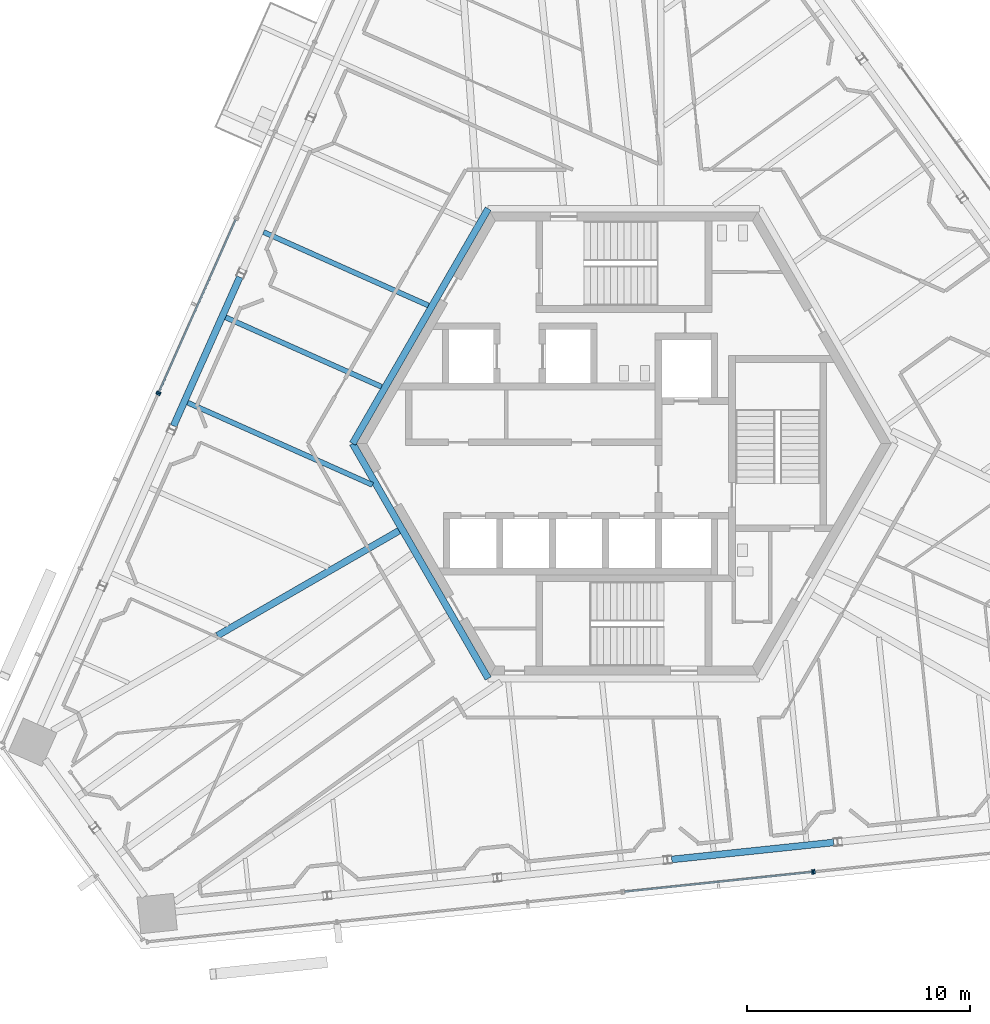
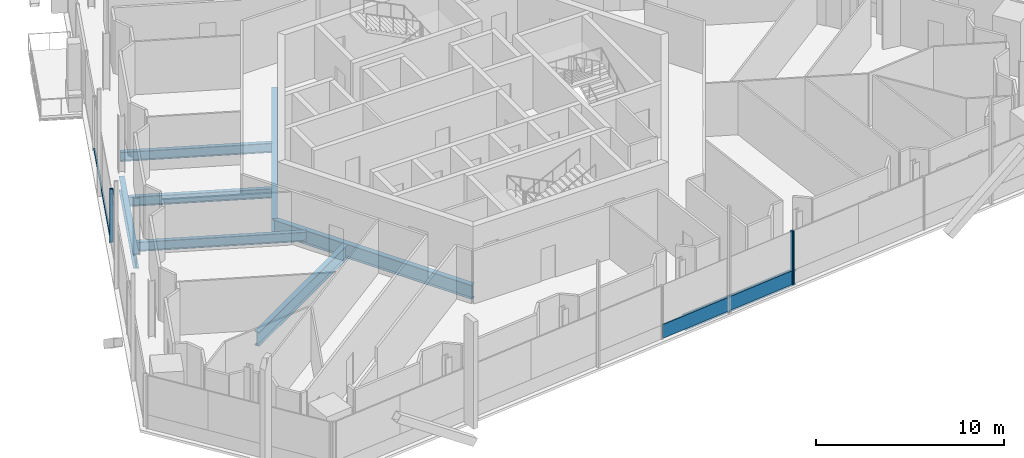
# One storey, part 5 of 21: 8 beams, 6 members, 4 elements without a shape of their own.
"""IFC4 building model written with IfcOpenShell, lengths in metres."""

from ifc_helpers import new_model, si_unit, direction, frame, origin, origin_2d, place, context, subcontext, project, spatial, rectangle, i_section, extrude, source, transform, mapped, material, material_profile, profile_set, type_object, element, aggregate, save


model = new_model("IFC4")

# Units and contexts
model_context = context("Model", 3, precision=1e-05, world=origin(), true_north=direction((0.0, 1.0)))
body_context = subcontext(model_context, "Body", "Model", "MODEL_VIEW")
ifc_project = project(units=[si_unit("LENGTHUNIT", "METRE"), si_unit("AREAUNIT", "SQUARE_METRE"), si_unit("VOLUMEUNIT", "CUBIC_METRE"), si_unit("PLANEANGLEUNIT", "RADIAN"), si_unit("MASSUNIT", "GRAM", prefix="KILO")], contexts=[model_context])

# Site, building, storey
site_placement = place(None, origin())
site = spatial("IfcSite", under=ifc_project, at=site_placement, CompositionType="ELEMENT")
building_placement = place(site_placement, origin())
building = spatial("IfcBuilding", under=site, at=building_placement, Name="Triune Harvest Tower", CompositionType="ELEMENT")
storey_placement = place(building_placement, frame((0.0, 0.0, 248.5)))
storey = spatial("IfcBuildingStorey", under=building, at=storey_placement, Name="L65", CompositionType="ELEMENT", Elevation=248.5)

# Curtain wall, member
ifc_material_1 = material(Name="Aluminium bronze anodised", Category="aluminium")
curtain_wall_type_1 = type_object("IfcCurtainWallType", Name="CW-6 Balcony window wall", PredefinedType="NOTDEFINED", material=ifc_material_1)
curtain_wall_1_placement = place(storey_placement, origin())
curtain_wall_1 = element("IfcCurtainWall", 1, at=curtain_wall_1_placement, inside=storey, type_object=curtain_wall_type_1, Name="CW-6 B6-F3 L65 run 1002")
ifc_material_2 = material(Name="Aluminium bronze anodised", Category="aluminium")
ifc_material_profile_1 = material_profile(ifc_material_2, rectangle(XDim=0.090087890625, YDim=0.14990234375, at=origin_2d()), Name="TR-6 transom 90 x 150")
ifc_profile_set_1 = profile_set([ifc_material_profile_1], Name="Aluminium bronze anodised")
member_type_1 = type_object("IfcMemberType", Name="TR-6 transom 90 x 150", PredefinedType="USERDEFINED", material=ifc_profile_set_1)
member_1_placement = place(storey_placement, frame((-17.421630859375, 10.051025390625, 0.074951171875), z_axis=(-0.406730336866, -0.913548265322, 0.0), x_axis=(0.913548265322, -0.406730336866, 0.0)))
member_1 = element("IfcMember", 2, at=member_1_placement, type_object=member_type_1, Name="CW-6 transom B6-F3 1002.1", ObjectType="TRANSOM", PredefinedType="USERDEFINED", context=body_context, shape_type="SweptSolid", body=[
    extrude(rectangle(XDim=0.090087890625, YDim=0.14990234375, at=origin_2d()), origin(), (0.0, 0.0, 1.0), 8.45703125),
])

# Beams
ifc_material_3 = material(Name="Steel ASTM A992 Gr 50", Category="steel")
ifc_material_profile_2 = material_profile(ifc_material_3, i_section(OverallWidth=0.3046875, OverallDepth=0.914306640625, WebThickness=0.0166015625, FlangeThickness=0.02587890625, at=origin_2d()), Name="W36x160")
ifc_profile_set_2 = profile_set([ifc_material_profile_2], Name="Steel ASTM A992 Gr 50")
beam_type_1 = type_object("IfcBeamType", Name="CG-1 Core ring girder W36x160", PredefinedType="BEAM", material=ifc_profile_set_2)
shared_shape_1 = source(origin(), body_context, "Body", "SweptSolid", [
    extrude(i_section(OverallWidth=0.3046875, OverallDepth=0.914306640625, WebThickness=0.0166015625, FlangeThickness=0.02587890625, at=origin_2d()), origin(), (0.0, 0.0, 1.0), 12.176025390625),
])
for number, where, z_axis, x_axis, name in (
    (3, (-6.087890625, 10.544677734375, -0.6171875), (-0.5000099932, -0.866019634131, 0.0), (0.866019634131, -0.5000099932, 0.0), "beam/L65/CG3"),
    (4, (-12.176025390625, 0.0, -0.6171875), (0.5000099932, -0.866019634131, 0.0), (0.866019634131, 0.5000099932, 0.0), "beam/L65/CG4"),
):
    element("IfcBeam", number, at=place(storey_placement, frame(where, z_axis=z_axis, x_axis=x_axis)), inside=storey, type_object=beam_type_1, Name=name, PredefinedType="BEAM", context=body_context, shape_type="MappedRepresentation", body=[
        mapped(shared_shape_1, transform((0.0, 0.0, 0.0), scale=1.0)),
    ])
ifc_material_4 = material(Name="Steel ASTM A992 Gr 50", Category="steel")
ifc_material_profile_3 = material_profile(ifc_material_4, i_section(OverallWidth=0.3046875, OverallDepth=0.914306640625, WebThickness=0.0166015625, FlangeThickness=0.02587890625, at=origin_2d()), Name="W36x160")
ifc_profile_set_3 = profile_set([ifc_material_profile_3], Name="Steel ASTM A992 Gr 50")
beam_type_2 = type_object("IfcBeamType", Name="HG-3 Hip girder W36x160", PredefinedType="BEAM", material=ifc_profile_set_3)
shared_shape_2 = source(origin(), body_context, "Body", "SweptSolid", [
    extrude(i_section(OverallWidth=0.3046875, OverallDepth=0.914306640625, WebThickness=0.0166015625, FlangeThickness=0.02587890625, at=origin_2d()), origin(), (0.0, 0.0, 1.0), 9.416259765625),
])
beam_1_placement = place(storey_placement, frame((-18.247802734375, -8.62060546875, -0.6171875), z_axis=(0.866032742664, 0.499987288472, 0.0), x_axis=(-0.499987288472, 0.866032742664, 0.0)))
element("IfcBeam", 5, at=beam_1_placement, inside=storey, type_object=beam_type_2, Name="beam/L65/HG6", PredefinedType="BEAM", context=body_context, shape_type="MappedRepresentation", body=[
    mapped(shared_shape_2, transform((0.0, 0.0, 0.0), scale=1.0)),
])
ifc_material_5 = material(Name="Steel ASTM A992 Gr 50", Category="steel")
ifc_material_profile_4 = material_profile(ifc_material_5, i_section(OverallWidth=0.3046875, OverallDepth=0.914306640625, WebThickness=0.0166015625, FlangeThickness=0.02587890625, at=origin_2d()), Name="W36x160")
ifc_profile_set_4 = profile_set([ifc_material_profile_4], Name="Steel ASTM A992 Gr 50")
beam_type_3 = type_object("IfcBeamType", Name="SB-1 Spandrel beam W36x160", PredefinedType="SPANDREL", material=ifc_profile_set_4)
shared_shape_3 = source(origin(), body_context, "Body", "SweptSolid", [
    extrude(i_section(OverallWidth=0.3046875, OverallDepth=0.914306640625, WebThickness=0.0166015625, FlangeThickness=0.02587890625, at=origin_2d()), origin(), (0.0, 0.0, 1.0), 7.311279296875),
])
for number, where, z_axis, x_axis, name in (
    (6, (-17.238525390625, 7.4736328125, -0.6171875), (-0.406748727305, -0.913540077301, 0.0), (0.913540077301, -0.406748727305, 0.0), "beam/L65/SB12"),
    (7, (2.14697265625, -18.665771484375, -0.6171875), (0.994523004189, 0.104517913008, 0.0), (-0.104517913008, 0.994523004189, 0.0), "beam/L65/SB20"),
):
    element("IfcBeam", number, at=place(storey_placement, frame(where, z_axis=z_axis, x_axis=x_axis)), inside=storey, type_object=beam_type_3, Name=name, PredefinedType="SPANDREL", context=body_context, shape_type="MappedRepresentation", body=[
        mapped(shared_shape_3, transform((0.0, 0.0, 0.0), scale=1.0)),
    ])
ifc_material_6 = material(Name="Steel ASTM A992 Gr 50", Category="steel")
ifc_material_profile_5 = material_profile(ifc_material_6, i_section(OverallWidth=0.22900390625, OverallDepth=0.612060546875, WebThickness=0.011962890625, FlangeThickness=0.01953125, at=origin_2d()), Name="W24x84")
ifc_profile_set_5 = profile_set([ifc_material_profile_5], Name="Steel ASTM A992 Gr 50")
beam_type_4 = type_object("IfcBeamType", Name="JT-3 Floor joist W24x84", PredefinedType="JOIST", material=ifc_profile_set_5)
shared_shape_4 = source(origin(), body_context, "Body", "SweptSolid", [
    extrude(i_section(OverallWidth=0.22900390625, OverallDepth=0.612060546875, WebThickness=0.011962890625, FlangeThickness=0.01953125, at=origin_2d()), origin(), (0.0, 0.0, 1.0), 8.099609375),
])
beam_2_placement = place(storey_placement, frame((-16.172607421875, 9.4931640625, -0.466064453125), z_axis=(0.913545356779, -0.406736869618, 0.0), x_axis=(0.406736869618, 0.913545356779, 0.0)))
element("IfcBeam", 8, at=beam_2_placement, inside=storey, type_object=beam_type_4, Name="beam/L65/JT17", PredefinedType="JOIST", context=body_context, shape_type="MappedRepresentation", body=[
    mapped(shared_shape_4, transform((0.0, 0.0, 0.0), scale=1.0)),
])
shared_shape_5 = source(origin(), body_context, "Body", "SweptSolid", [
    extrude(i_section(OverallWidth=0.22900390625, OverallDepth=0.612060546875, WebThickness=0.011962890625, FlangeThickness=0.01953125, at=origin_2d()), origin(), (0.0, 0.0, 1.0), 7.659423828125),
])
beam_3_placement = place(storey_placement, frame((-17.876220703125, 5.66650390625, -0.466064453125), z_axis=(0.913536623341, -0.406756484663, 0.0), x_axis=(0.406756484663, 0.913536623341, 0.0)))
element("IfcBeam", 9, at=beam_3_placement, inside=storey, type_object=beam_type_4, Name="beam/L65/JT18", PredefinedType="JOIST", context=body_context, shape_type="MappedRepresentation", body=[
    mapped(shared_shape_5, transform((0.0, 0.0, 0.0), scale=1.0)),
])
shared_shape_6 = source(origin(), body_context, "Body", "SweptSolid", [
    extrude(i_section(OverallWidth=0.22900390625, OverallDepth=0.612060546875, WebThickness=0.011962890625, FlangeThickness=0.01953125, at=origin_2d()), origin(), (0.0, 0.0, 1.0), 9.084716796875),
])
beam_4_placement = place(storey_placement, frame((-19.580078125, 1.83984375, -0.466064453125), z_axis=(0.913546495421, -0.406734312179, 0.0), x_axis=(0.406734312179, 0.913546495421, 0.0)))
element("IfcBeam", 10, at=beam_4_placement, inside=storey, type_object=beam_type_4, Name="beam/L65/JT19", PredefinedType="JOIST", context=body_context, shape_type="MappedRepresentation", body=[
    mapped(shared_shape_6, transform((0.0, 0.0, 0.0), scale=1.0)),
])

# Curtain wall, member
ifc_material_7 = material(Name="Aluminium bronze anodised", Category="aluminium")
curtain_wall_type_2 = type_object("IfcCurtainWallType", Name="CW-1 Tower stick curtain wall", PredefinedType="NOTDEFINED", material=ifc_material_7)
curtain_wall_2_placement = place(storey_placement, origin())
curtain_wall_2 = element("IfcCurtainWall", 11, at=curtain_wall_2_placement, inside=storey, type_object=curtain_wall_type_2, Name="CW-1 B6-F5 L65 run 1001")
ifc_material_8 = material(Name="Aluminium bronze anodised", Category="aluminium")
ifc_material_profile_6 = material_profile(ifc_material_8, rectangle(XDim=0.199951171875, YDim=0.074951171875, at=origin_2d()), Name="MU-1 mullion 75 x 200")
ifc_profile_set_6 = profile_set([ifc_material_profile_6], Name="Aluminium bronze anodised")
member_type_2 = type_object("IfcMemberType", Name="MU-1 mullion 75 x 200", PredefinedType="MULLION", material=ifc_profile_set_6)
shared_shape_7 = source(origin(), body_context, "Body", "SweptSolid", [
    extrude(rectangle(XDim=0.199951171875, YDim=0.074951171875, at=origin_2d()), origin(), (0.0, 0.0, 1.0), 3.43994140625),
])
member_2_placement = place(storey_placement, frame((8.46826171875, -19.2236328125, 0.0), z_axis=(0.0, 0.0, 1.0), x_axis=(-0.104534672126, 0.994521242771, 0.0)))
member_2 = element("IfcMember", 12, at=member_2_placement, type_object=member_type_2, Name="CW-1 mullion B6-F5 1001.3", PredefinedType="MULLION", context=body_context, shape_type="MappedRepresentation", body=[
    mapped(shared_shape_7, transform((0.0, 0.0, 0.0), scale=1.0)),
])

ifc_material_9 = material(Name="Aluminium bronze anodised", Category="aluminium")
curtain_wall_type_3 = type_object("IfcCurtainWallType", Name="CW-7 Tower stick curtain wall with insulated spandrel infill", PredefinedType="NOTDEFINED", material=ifc_material_9)
curtain_wall_3_placement = place(storey_placement, origin())
curtain_wall_3 = element("IfcCurtainWall", 13, at=curtain_wall_3_placement, inside=storey, type_object=curtain_wall_type_3, Name="CW-7 B6-F5 L65 run 2001")
member_3_placement = place(storey_placement, frame((8.54296875, -19.215576171875, 0.0), z_axis=(0.0, 0.0, 1.0), x_axis=(-0.104527917264, 0.994521952755, 0.0)))
member_3 = element("IfcMember", 14, at=member_3_placement, type_object=member_type_2, Name="CW-7 mullion B6-F5 2001.1", PredefinedType="MULLION", context=body_context, shape_type="MappedRepresentation", body=[
    mapped(shared_shape_7, transform((0.0, 0.0, 0.0), scale=1.0)),
])
aggregate(curtain_wall_3, [member_3])

# Member
ifc_material_10 = material(Name="Aluminium bronze anodised", Category="aluminium")
ifc_material_profile_7 = material_profile(ifc_material_10, rectangle(XDim=0.199951171875, YDim=0.074951171875, at=origin_2d()), Name="MU-6 mullion 75 x 200")
ifc_profile_set_7 = profile_set([ifc_material_profile_7], Name="Aluminium bronze anodised")
member_type_3 = type_object("IfcMemberType", Name="MU-6 mullion 75 x 200", PredefinedType="MULLION", material=ifc_profile_set_7)
shared_shape_8 = source(origin(), body_context, "Body", "SweptSolid", [
    extrude(rectangle(XDim=0.199951171875, YDim=0.074951171875, at=origin_2d()), origin(), (0.0, 0.0, 1.0), 3.43994140625),
])
member_4_placement = place(storey_placement, frame((-20.876708984375, 2.290771484375, 0.0), z_axis=(0.0, 0.0, 1.0), x_axis=(0.913544966775, -0.406737745581, 0.0)))
member_4 = element("IfcMember", 15, at=member_4_placement, type_object=member_type_3, Name="CW-6 mullion B6-F3 1002.3", PredefinedType="MULLION", context=body_context, shape_type="MappedRepresentation", body=[
    mapped(shared_shape_8, transform((0.0, 0.0, 0.0), scale=1.0)),
])

aggregate(curtain_wall_1, [member_4, member_1])

# Curtain wall, member
ifc_material_11 = material(Name="Aluminium bronze anodised", Category="aluminium")
curtain_wall_type_4 = type_object("IfcCurtainWallType", Name="CW-10 Balcony window wall with insulated spandrel infill", PredefinedType="NOTDEFINED", material=ifc_material_11)
curtain_wall_4_placement = place(storey_placement, origin())
curtain_wall_4 = element("IfcCurtainWall", 16, at=curtain_wall_4_placement, inside=storey, type_object=curtain_wall_type_4, Name="CW-10 B6-F3 L65 run 2002")
member_5_placement = place(storey_placement, frame((-20.9072265625, 2.222412109375, 0.0), z_axis=(0.0, 0.0, 1.0), x_axis=(0.913545883242, -0.406735687162, 0.0)))
member_5 = element("IfcMember", 17, at=member_5_placement, type_object=member_type_3, Name="CW-10 mullion B6-F3 2002.1", PredefinedType="MULLION", context=body_context, shape_type="MappedRepresentation", body=[
    mapped(shared_shape_8, transform((0.0, 0.0, 0.0), scale=1.0)),
])
aggregate(curtain_wall_4, [member_5])

# Member
ifc_material_12 = material(Name="Aluminium bronze anodised", Category="aluminium")
ifc_material_profile_8 = material_profile(ifc_material_12, rectangle(XDim=0.090087890625, YDim=0.89990234375, at=origin_2d()), Name="TR-1 transom 90 x 900")
ifc_profile_set_8 = profile_set([ifc_material_profile_8], Name="Aluminium bronze anodised")
member_type_4 = type_object("IfcMemberType", Name="TR-1 transom 90 x 900", PredefinedType="USERDEFINED", material=ifc_profile_set_8)
shared_shape_9 = source(origin(), body_context, "Body", "SweptSolid", [
    extrude(rectangle(XDim=0.090087890625, YDim=0.89990234375, at=origin_2d()), origin(), (0.0, 0.0, 1.0), 8.449951171875),
])
member_6_placement = place(storey_placement, frame((0.02734375, -20.11083984375, 0.449951171875), z_axis=(0.994521273255, 0.104534382111, 0.0), x_axis=(-0.104534382111, 0.994521273255, 0.0)))
member_6 = element("IfcMember", 18, at=member_6_placement, type_object=member_type_4, Name="CW-1 transom B6-F5 1001.1", ObjectType="TRANSOM", PredefinedType="USERDEFINED", context=body_context, shape_type="MappedRepresentation", body=[
    mapped(shared_shape_9, transform((0.0, 0.0, 0.0), scale=1.0)),
])

aggregate(curtain_wall_2, [member_2, member_6])

save(model, "model.ifc")
